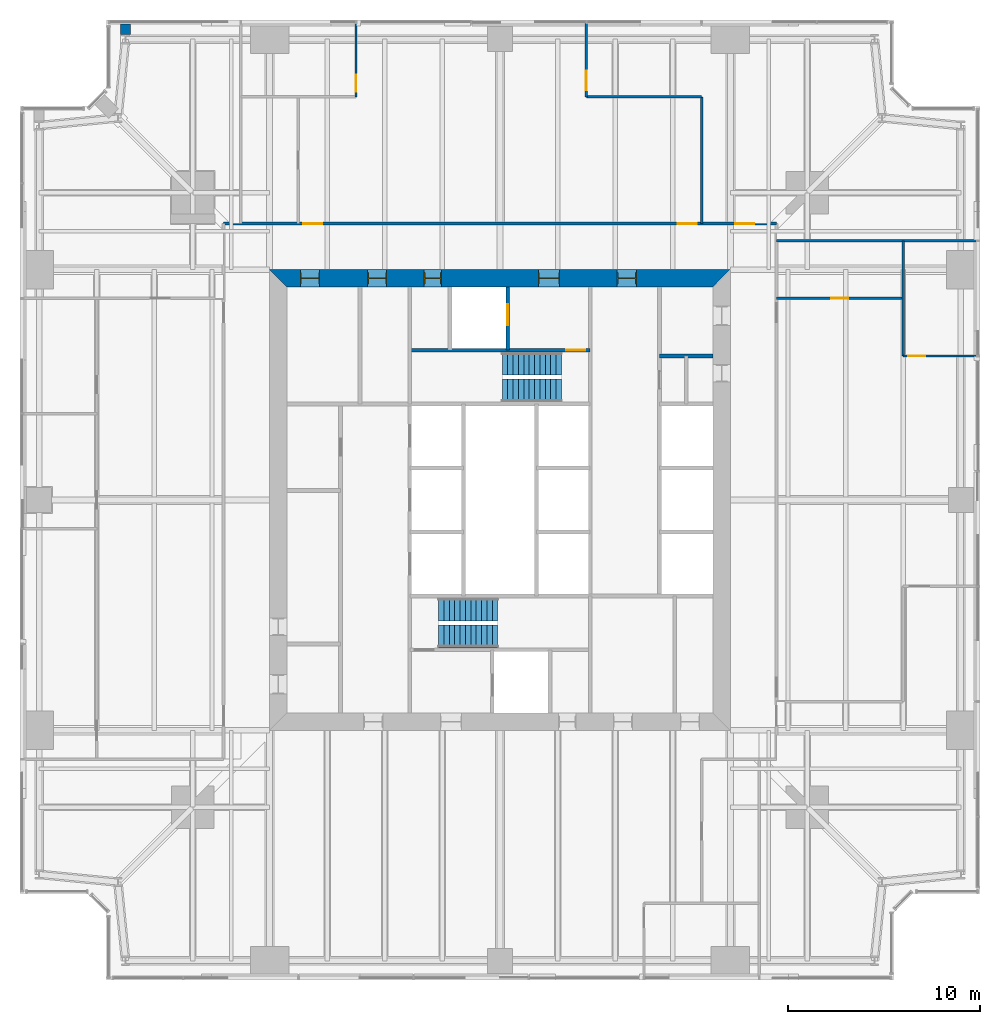
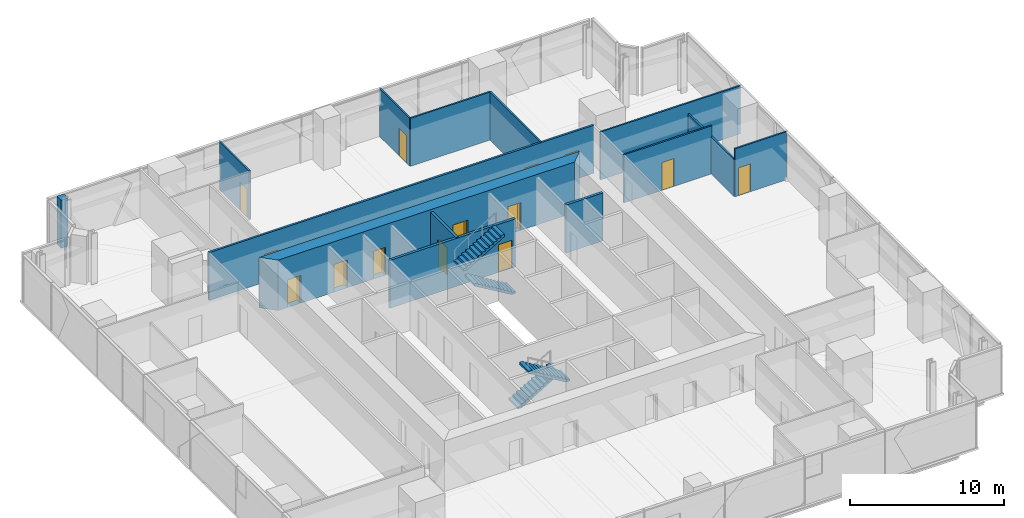
# One storey, part 11 of 13: 14 doors, 14 walls, 4 stair flights, 14 openings, 2 elements without a shape of their own.
"""IFC4 building model written with IfcOpenShell, lengths in metres."""

from ifc_helpers import new_model, si_unit, direction, frame, frame_2d, origin, place, context, subcontext, project, spatial, polyline, rectangle, outline, extrude, material, layer, layer_set, type_object, element, fill, aggregate, save


model = new_model("IFC4")

# Units and contexts
model_context = context("Model", 3, precision=1e-05, world=origin(), true_north=direction((0.0, 1.0)))
body_context = subcontext(model_context, "Body", "Model", "MODEL_VIEW")
ifc_project = project(units=[si_unit("LENGTHUNIT", "METRE"), si_unit("AREAUNIT", "SQUARE_METRE"), si_unit("VOLUMEUNIT", "CUBIC_METRE"), si_unit("PLANEANGLEUNIT", "RADIAN"), si_unit("MASSUNIT", "GRAM", prefix="KILO")], contexts=[model_context])

# Site, building, storey
site_placement = place(None, origin())
site = spatial("IfcSite", under=ifc_project, at=site_placement, CompositionType="ELEMENT")
building_placement = place(site_placement, origin())
building = spatial("IfcBuilding", under=site, at=building_placement, Name="Fenwick Lantern Interchange", CompositionType="ELEMENT")
storey_placement = place(building_placement, frame((0.0, 0.0, 158.39990234375)))
storey = spatial("IfcBuildingStorey", under=building, at=storey_placement, Name="L37", CompositionType="ELEMENT", Elevation=158.39990234375)

# Wall
ifc_material_1 = material(Name="Fire-rated gypsum board encasement on steel studs, 2 hour", Category="steel")
ifc_layer_1 = layer(ifc_material_1, 0.52392578125)
ifc_layer_set_1 = layer_set([ifc_layer_1], Name="COLUMN PIER 524")
wall_type_1 = type_object("IfcWallType", Name="COLUMN PIER 524", PredefinedType="PARTITIONING", material=ifc_layer_set_1)
wall_1_placement = place(storey_placement, frame((5.5, 49.800048828125, 0.0), z_axis=(0.0, 0.0, 1.0), x_axis=(0.0, -1.0, 0.0)))
element("IfcWall", 1, at=wall_1_placement, inside=storey, type_object=wall_type_1, Name="L37/W/PIER/CN5", PredefinedType="PARTITIONING", context=body_context, shape_type="SweptSolid", body=[
    extrude(rectangle(XDim=0.5625, YDim=0.52392578125, at=frame_2d((0.28125, 0.0))), origin(), (0.0, 0.0, 1.0), 3.800048828125),
])

# Wall, opening, door
ifc_material_2 = material(Name="Concrete masonry ASTM C90 Grade N", Category="masonry")
ifc_layer_2 = layer(ifc_material_2, 0.199951171875)
ifc_layer_set_2 = layer_set([ifc_layer_2], Name="Concrete masonry ASTM C90 Grade N")
wall_type_2 = type_object("IfcWallType", Name="CORE PARTITION 200", PredefinedType="PARTITIONING", material=ifc_layer_set_2)
wall_2_placement = place(storey_placement, frame((25.39990234375, 36.10009765625, 0.0), z_axis=(0.0, 0.0, 1.0), x_axis=(0.0, -1.0, 0.0)))
wall_2 = element("IfcWall", 2, at=wall_2_placement, inside=storey, type_object=wall_type_2, Name="L37/W/COREN/h1", PredefinedType="PARTITIONING", context=body_context, shape_type="SweptSolid", body=[
    extrude(rectangle(XDim=3.300048828125, YDim=0.199951171875, at=frame_2d((1.64990234375, 0.0))), origin(), (0.0, 0.0, 1.0), 3.800048828125),
])
opening_1_placement = place(wall_2_placement, frame((0.89990234375, 0.0, 0.0)))
opening_1 = element("IfcOpeningElement", 3, at=opening_1_placement, cuts=wall_2, Name="Opening LD-FL2", PredefinedType="OPENING", context=body_context, shape_type="SweptSolid", body=[
    extrude(rectangle(XDim=1.10009765625, YDim=2.199951171875, at=frame_2d((0.550048828125, 1.10009765625))), frame((0.0, 0.10986328125, 0.0), z_axis=(0.0, -1.0, 0.0), x_axis=(1.0, 0.0, 0.0)), (0.0, 0.0, 1.0), 0.219970703125),
])
ifc_material_3 = material(Name="Steel door and frame", Category="steel")
door_type_1 = type_object("IfcDoorType", Name="LIFT LANDING DOOR 1100 X 2200", OperationType="DOUBLE_DOOR_SLIDING", PredefinedType="DOOR", material=ifc_material_3)
door_1_placement = place(opening_1_placement, origin())
door_1 = element("IfcDoor", 4, at=door_1_placement, inside=storey, type_object=door_type_1, Name="Lift landing door FL2", OperationType="DOUBLE_DOOR_SLIDING", OverallHeight=2.199951171875, OverallWidth=1.10009765625, PredefinedType="DOOR", context=body_context, shape_type="SweptSolid", body=[
    extrude(rectangle(XDim=1.10009765625, YDim=2.199951171875, at=frame_2d((0.550048828125, 1.10009765625))), frame((0.0, 0.02490234375, 0.0), z_axis=(0.0, -1.0, 0.0), x_axis=(1.0, 0.0, 0.0)), (0.0, 0.0, 1.0), 0.050048828125),
])
fill(opening_1, door_1)

# Wall
wall_3_placement = place(storey_placement, frame((36.10009765625, 32.5, 0.0), z_axis=(0.0, 0.0, 1.0), x_axis=(-1.0, 0.0, 0.0)))
element("IfcWall", 5, at=wall_3_placement, inside=storey, type_object=wall_type_2, Name="L37/W/COREN/p1", PredefinedType="PARTITIONING", context=body_context, shape_type="SweptSolid", body=[
    extrude(rectangle(XDim=2.800048828125, YDim=0.199951171875, at=frame_2d((1.39990234375, 0.0))), origin(), (0.0, 0.0, 1.0), 3.800048828125),
])

# Wall, openings, doors
ifc_material_4 = material(Name="Concrete f'c 70 MPa", Category="concrete")
ifc_layer_3 = layer(ifc_material_4, 0.89990234375)
ifc_layer_set_3 = layer_set([ifc_layer_3], Name="CORE WALL 900")
wall_type_3 = type_object("IfcWallType", Name="CORE WALL 900", PredefinedType="SHEAR", material=ifc_layer_set_3)
wall_4_placement = place(storey_placement, frame((37.0, 36.550048828125, 0.0), z_axis=(0.0, 0.0, 1.0), x_axis=(-1.0, 0.0, 0.0)))
wall_4 = element("IfcWall", 6, at=wall_4_placement, inside=storey, type_object=wall_type_3, Name="L37/CORE/N", PredefinedType="SHEAR", context=body_context, shape_type="SweptSolid", body=[
    extrude(outline(polyline([(0.0, -0.449951171875), (24.0, -0.449951171875), (23.10009765625, 0.449951171875), (0.89990234375, 0.449951171875), (0.0, -0.449951171875)])), origin(), (0.0, 0.0, 1.0), 4.0),
])
opening_2_placement = place(wall_4_placement, frame((4.89990234375, 0.0, 0.0)))
opening_2 = element("IfcOpeningElement", 7, at=opening_2_placement, cuts=wall_4, Name="Opening L37-D010", PredefinedType="OPENING", context=body_context, shape_type="SweptSolid", body=[
    extrude(rectangle(XDim=1.0, YDim=2.199951171875, at=frame_2d((0.5, 1.10009765625))), frame((0.0, 0.4599609375, 0.0), z_axis=(0.0, -1.0, 0.0), x_axis=(1.0, 0.0, 0.0)), (0.0, 0.0, 1.0), 0.919921875),
])
opening_3_placement = place(wall_4_placement, frame((8.89990234375, 0.0, 0.0)))
opening_3 = element("IfcOpeningElement", 8, at=opening_3_placement, cuts=wall_4, Name="Opening L37-D011", PredefinedType="OPENING", context=body_context, shape_type="SweptSolid", body=[
    extrude(rectangle(XDim=1.10009765625, YDim=2.199951171875, at=frame_2d((0.550048828125, 1.10009765625))), frame((0.0, 0.4599609375, 0.0), z_axis=(0.0, -1.0, 0.0), x_axis=(1.0, 0.0, 0.0)), (0.0, 0.0, 1.0), 0.919921875),
])
opening_4_placement = place(wall_4_placement, frame((15.050048828125, 0.0, 0.0)))
opening_4 = element("IfcOpeningElement", 9, at=opening_4_placement, cuts=wall_4, Name="Opening L37-D013", PredefinedType="OPENING", context=body_context, shape_type="SweptSolid", body=[
    extrude(rectangle(XDim=0.89990234375, YDim=2.199951171875, at=frame_2d((0.449951171875, 1.10009765625))), frame((0.0, 0.4599609375, 0.0), z_axis=(0.0, -1.0, 0.0), x_axis=(1.0, 0.0, 0.0)), (0.0, 0.0, 1.0), 0.919921875),
])
opening_5_placement = place(wall_4_placement, frame((17.89990234375, 0.0, 0.0)))
opening_5 = element("IfcOpeningElement", 10, at=opening_5_placement, cuts=wall_4, Name="Opening L37-D014", PredefinedType="OPENING", context=body_context, shape_type="SweptSolid", body=[
    extrude(rectangle(XDim=1.0, YDim=2.199951171875, at=frame_2d((0.5, 1.10009765625))), frame((0.0, 0.4599609375, 0.0), z_axis=(0.0, -1.0, 0.0), x_axis=(1.0, 0.0, 0.0)), (0.0, 0.0, 1.0), 0.919921875),
])
opening_6_placement = place(wall_4_placement, frame((21.39990234375, 0.0, 0.0)))
opening_6 = element("IfcOpeningElement", 11, at=opening_6_placement, cuts=wall_4, Name="Opening L37-D015", PredefinedType="OPENING", context=body_context, shape_type="SweptSolid", body=[
    extrude(rectangle(XDim=1.0, YDim=2.199951171875, at=frame_2d((0.5, 1.10009765625))), frame((0.0, 0.4599609375, 0.0), z_axis=(0.0, -1.0, 0.0), x_axis=(1.0, 0.0, 0.0)), (0.0, 0.0, 1.0), 0.919921875),
])
door_type_2 = type_object("IfcDoorType", Name="CORE LOBBY DOOR 1000 X 2200", OperationType="SINGLE_SWING_LEFT", PredefinedType="DOOR", material=ifc_material_3)
door_2_placement = place(opening_2_placement, origin())
door_2 = element("IfcDoor", 12, at=door_2_placement, inside=storey, type_object=door_type_2, Name="Core lobby door", OperationType="SINGLE_SWING_LEFT", OverallHeight=2.199951171875, OverallWidth=1.0, PredefinedType="DOOR", context=body_context, shape_type="SweptSolid", body=[
    extrude(rectangle(XDim=1.0, YDim=2.199951171875, at=frame_2d((0.5, 1.10009765625))), frame((0.0, 0.02490234375, 0.0), z_axis=(0.0, -1.0, 0.0), x_axis=(1.0, 0.0, 0.0)), (0.0, 0.0, 1.0), 0.050048828125),
    extrude(outline(polyline([(0.0, 0.0), (0.0400390625, 0.0), (0.0400390625, 2.159912109375), (0.9599609375, 2.159912109375), (0.9599609375, 0.0), (1.0, 0.0), (1.0, 2.199951171875), (0.0, 2.199951171875), (0.0, 0.0)])), frame((0.0, 0.300048828125, 0.0), z_axis=(0.0, -1.0, 0.0), x_axis=(1.0, 0.0, 0.0)), (0.0, 0.0, 1.0), 0.60009765625),
])
fill(opening_2, door_2)
door_type_3 = type_object("IfcDoorType", Name="FIRE LOBBY DOOR 1100 X 2200", OperationType="SINGLE_SWING_LEFT", PredefinedType="DOOR", material=ifc_material_3)
door_3_placement = place(opening_3_placement, origin())
door_3 = element("IfcDoor", 13, at=door_3_placement, inside=storey, type_object=door_type_3, Name="Fire lobby door", OperationType="SINGLE_SWING_LEFT", OverallHeight=2.199951171875, OverallWidth=1.10009765625, PredefinedType="DOOR", context=body_context, shape_type="SweptSolid", body=[
    extrude(rectangle(XDim=1.10009765625, YDim=2.199951171875, at=frame_2d((0.550048828125, 1.10009765625))), frame((0.0, 0.02490234375, 0.0), z_axis=(0.0, -1.0, 0.0), x_axis=(1.0, 0.0, 0.0)), (0.0, 0.0, 1.0), 0.050048828125),
    extrude(outline(polyline([(0.0, 0.0), (0.0400390625, 0.0), (0.0400390625, 2.159912109375), (1.06005859375, 2.159912109375), (1.06005859375, 0.0), (1.10009765625, 0.0), (1.10009765625, 2.199951171875), (0.0, 2.199951171875), (0.0, 0.0)])), frame((0.0, 0.300048828125, 0.0), z_axis=(0.0, -1.0, 0.0), x_axis=(1.0, 0.0, 0.0)), (0.0, 0.0, 1.0), 0.60009765625),
])
fill(opening_3, door_3)
door_type_4 = type_object("IfcDoorType", Name="SERVICE DOOR 900 X 2200", OperationType="SINGLE_SWING_LEFT", PredefinedType="DOOR", material=ifc_material_3)
door_4_placement = place(opening_4_placement, origin())
door_4 = element("IfcDoor", 14, at=door_4_placement, inside=storey, type_object=door_type_4, Name="Service door", OperationType="SINGLE_SWING_LEFT", OverallHeight=2.199951171875, OverallWidth=0.89990234375, PredefinedType="DOOR", context=body_context, shape_type="SweptSolid", body=[
    extrude(rectangle(XDim=0.89990234375, YDim=2.199951171875, at=frame_2d((0.449951171875, 1.10009765625))), frame((0.0, 0.02490234375, 0.0), z_axis=(0.0, -1.0, 0.0), x_axis=(1.0, 0.0, 0.0)), (0.0, 0.0, 1.0), 0.050048828125),
    extrude(outline(polyline([(0.0, 0.0), (0.0400390625, 0.0), (0.0400390625, 2.159912109375), (0.85986328125, 2.159912109375), (0.85986328125, 0.0), (0.89990234375, 0.0), (0.89990234375, 2.199951171875), (0.0, 2.199951171875), (0.0, 0.0)])), frame((0.0, 0.300048828125, 0.0), z_axis=(0.0, -1.0, 0.0), x_axis=(1.0, 0.0, 0.0)), (0.0, 0.0, 1.0), 0.60009765625),
])
fill(opening_4, door_4)
ifc_material_5 = material(Name="Hardwood door and steel frame", Category="steel")
door_type_5 = type_object("IfcDoorType", Name="WC DOOR 1000 X 2200", OperationType="SINGLE_SWING_LEFT", PredefinedType="DOOR", material=ifc_material_5)
door_5_placement = place(opening_5_placement, origin())
door_5 = element("IfcDoor", 15, at=door_5_placement, inside=storey, type_object=door_type_5, Name="Wc door", OperationType="SINGLE_SWING_RIGHT", OverallHeight=2.199951171875, OverallWidth=1.0, PredefinedType="DOOR", context=body_context, shape_type="SweptSolid", body=[
    extrude(rectangle(XDim=1.0, YDim=2.199951171875, at=frame_2d((0.5, 1.10009765625))), frame((0.0, 0.02490234375, 0.0), z_axis=(0.0, -1.0, 0.0), x_axis=(1.0, 0.0, 0.0)), (0.0, 0.0, 1.0), 0.050048828125),
    extrude(outline(polyline([(0.0, 0.0), (0.0400390625, 0.0), (0.0400390625, 2.159912109375), (0.9599609375, 2.159912109375), (0.9599609375, 0.0), (1.0, 0.0), (1.0, 2.199951171875), (0.0, 2.199951171875), (0.0, 0.0)])), frame((0.0, 0.300048828125, 0.0), z_axis=(0.0, -1.0, 0.0), x_axis=(1.0, 0.0, 0.0)), (0.0, 0.0, 1.0), 0.60009765625),
])
fill(opening_5, door_5)
door_6_placement = place(opening_6_placement, origin())
door_6 = element("IfcDoor", 16, at=door_6_placement, inside=storey, type_object=door_type_5, Name="Wc door", OperationType="SINGLE_SWING_RIGHT", OverallHeight=2.199951171875, OverallWidth=1.0, PredefinedType="DOOR", context=body_context, shape_type="SweptSolid", body=[
    extrude(rectangle(XDim=1.0, YDim=2.199951171875, at=frame_2d((0.5, 1.10009765625))), frame((0.0, 0.02490234375, 0.0), z_axis=(0.0, -1.0, 0.0), x_axis=(1.0, 0.0, 0.0)), (0.0, 0.0, 1.0), 0.050048828125),
    extrude(outline(polyline([(0.0, 0.0), (0.0400390625, 0.0), (0.0400390625, 2.159912109375), (0.9599609375, 2.159912109375), (0.9599609375, 0.0), (1.0, 0.0), (1.0, 2.199951171875), (0.0, 2.199951171875), (0.0, 0.0)])), frame((0.0, 0.300048828125, 0.0), z_axis=(0.0, -1.0, 0.0), x_axis=(1.0, 0.0, 0.0)), (0.0, 0.0, 1.0), 0.60009765625),
])
fill(opening_6, door_6)

ifc_material_6 = material(Name="Gypsum board on steel studs, 1 hour", Category="steel")
ifc_layer_4 = layer(ifc_material_6, 0.14990234375)
ifc_layer_set_4 = layer_set([ifc_layer_4], Name="CORRIDOR WALL 150")
wall_type_4 = type_object("IfcWallType", Name="CORRIDOR WALL 150", PredefinedType="PARTITIONING", material=ifc_layer_set_4)
wall_5_placement = place(storey_placement, frame((39.39990234375, 39.39990234375, 0.0), z_axis=(0.0, 0.0, 1.0), x_axis=(-1.0, 0.0, 0.0)))
wall_5 = element("IfcWall", 17, at=wall_5_placement, inside=storey, type_object=wall_type_4, Name="L37/W/OFF/N/CW2", PredefinedType="PARTITIONING", context=body_context, shape_type="SweptSolid", body=[
    extrude(rectangle(XDim=28.7998046875, YDim=0.14990234375, at=frame_2d((14.39990234375, 0.0))), origin(), (0.0, 0.0, 1.0), 3.800048828125),
])
opening_7_placement = place(wall_5_placement, frame((4.14990234375, 0.0, 0.0)))
opening_7 = element("IfcOpeningElement", 18, at=opening_7_placement, cuts=wall_5, Name="Opening L37-D027", PredefinedType="OPENING", context=body_context, shape_type="SweptSolid", body=[
    extrude(rectangle(XDim=1.0, YDim=2.199951171875, at=frame_2d((0.5, 1.10009765625))), frame((0.0, 0.0849609375, 0.0), z_axis=(0.0, -1.0, 0.0), x_axis=(1.0, 0.0, 0.0)), (0.0, 0.0, 1.0), 0.169921875),
])
opening_8_placement = place(wall_5_placement, frame((23.64990234375, 0.0, 0.0)))
opening_8 = element("IfcOpeningElement", 19, at=opening_8_placement, cuts=wall_5, Name="Opening L37-D028", PredefinedType="OPENING", context=body_context, shape_type="SweptSolid", body=[
    extrude(rectangle(XDim=1.0, YDim=2.199951171875, at=frame_2d((0.5, 1.10009765625))), frame((0.0, 0.0849609375, 0.0), z_axis=(0.0, -1.0, 0.0), x_axis=(1.0, 0.0, 0.0)), (0.0, 0.0, 1.0), 0.169921875),
])
opening_9_placement = place(wall_5_placement, frame((1.14990234375, 0.0, 0.0)))
opening_9 = element("IfcOpeningElement", 20, at=opening_9_placement, cuts=wall_5, Name="Opening L37-D030", PredefinedType="OPENING", context=body_context, shape_type="SweptSolid", body=[
    extrude(rectangle(XDim=1.0, YDim=2.199951171875, at=frame_2d((0.5, 1.10009765625))), frame((0.0, 0.0849609375, 0.0), z_axis=(0.0, -1.0, 0.0), x_axis=(1.0, 0.0, 0.0)), (0.0, 0.0, 1.0), 0.169921875),
])
door_type_6 = type_object("IfcDoorType", Name="MEETING ROOM DOOR 1000 X 2200", OperationType="SINGLE_SWING_LEFT", PredefinedType="DOOR", material=ifc_material_5)
door_7_placement = place(opening_9_placement, origin())
door_7 = element("IfcDoor", 21, at=door_7_placement, inside=storey, type_object=door_type_6, Name="Meeting room door", OperationType="SINGLE_SWING_LEFT", OverallHeight=2.199951171875, OverallWidth=1.0, PredefinedType="DOOR", context=body_context, shape_type="SweptSolid", body=[
    extrude(rectangle(XDim=1.0, YDim=2.199951171875, at=frame_2d((0.5, 1.10009765625))), frame((0.0, 0.02490234375, 0.0), z_axis=(0.0, -1.0, 0.0), x_axis=(1.0, 0.0, 0.0)), (0.0, 0.0, 1.0), 0.050048828125),
])
fill(opening_9, door_7)
door_type_7 = type_object("IfcDoorType", Name="SUITE ENTRANCE DOOR 1000 X 2200", OperationType="SINGLE_SWING_LEFT", PredefinedType="DOOR", material=ifc_material_3)
door_8_placement = place(opening_7_placement, frame((1.0, 0.0, 0.0), z_axis=(0.0, 0.0, 1.0), x_axis=(-1.0, 0.0, 0.0)))
door_8 = element("IfcDoor", 22, at=door_8_placement, inside=storey, type_object=door_type_7, Name="Suite entrance door", OperationType="SINGLE_SWING_RIGHT", OverallHeight=2.199951171875, OverallWidth=1.0, PredefinedType="DOOR", context=body_context, shape_type="SweptSolid", body=[
    extrude(rectangle(XDim=1.0, YDim=2.199951171875, at=frame_2d((0.5, 1.10009765625))), frame((0.0, 0.02490234375, 0.0), z_axis=(0.0, -1.0, 0.0), x_axis=(1.0, 0.0, 0.0)), (0.0, 0.0, 1.0), 0.050048828125),
])
fill(opening_7, door_8)
door_9_placement = place(opening_8_placement, frame((1.0, 0.0, 0.0), z_axis=(0.0, 0.0, 1.0), x_axis=(-1.0, 0.0, 0.0)))
door_9 = element("IfcDoor", 23, at=door_9_placement, inside=storey, type_object=door_type_7, Name="Suite entrance door", OperationType="SINGLE_SWING_LEFT", OverallHeight=2.199951171875, OverallWidth=1.0, PredefinedType="DOOR", context=body_context, shape_type="SweptSolid", body=[
    extrude(rectangle(XDim=1.0, YDim=2.199951171875, at=frame_2d((0.5, 1.10009765625))), frame((0.0, 0.02490234375, 0.0), z_axis=(0.0, -1.0, 0.0), x_axis=(1.0, 0.0, 0.0)), (0.0, 0.0, 1.0), 0.050048828125),
])
fill(opening_8, door_9)

# Wall, opening, door
ifc_material_7 = material(Name="Gypsum board on steel studs, acoustic", Category="steel")
ifc_layer_5 = layer(ifc_material_7, 0.125)
ifc_layer_set_5 = layer_set([ifc_layer_5], Name="OFFICE PARTITION 125")
wall_type_5 = type_object("IfcWallType", Name="OFFICE PARTITION 125", PredefinedType="PARTITIONING", material=ifc_layer_set_5)
wall_6_placement = place(storey_placement, frame((49.85009765625, 32.5, 0.0), z_axis=(0.0, 0.0, 1.0), x_axis=(-1.0, 0.0, 0.0)))
wall_6 = element("IfcWall", 24, at=wall_6_placement, inside=storey, type_object=wall_type_5, Name="L37/W/OFF/E/X325-1", PredefinedType="PARTITIONING", context=body_context, shape_type="SweptSolid", body=[
    extrude(rectangle(XDim=3.85009765625, YDim=0.125, at=frame_2d((1.925048828125, 0.0))), origin(), (0.0, 0.0, 1.0), 3.800048828125),
])
opening_10_placement = place(wall_6_placement, frame((2.699951171875, 0.0, 0.0)))
opening_10 = element("IfcOpeningElement", 25, at=opening_10_placement, cuts=wall_6, Name="Opening L37-D025", PredefinedType="OPENING", context=body_context, shape_type="SweptSolid", body=[
    extrude(rectangle(XDim=0.89990234375, YDim=2.199951171875, at=frame_2d((0.449951171875, 1.10009765625))), frame((0.0, 0.072509765625, 0.0), z_axis=(0.0, -1.0, 0.0), x_axis=(1.0, 0.0, 0.0)), (0.0, 0.0, 1.0), 0.14501953125),
])
door_type_8 = type_object("IfcDoorType", Name="OFFICE DOOR 900 X 2200", OperationType="SINGLE_SWING_LEFT", PredefinedType="DOOR", material=ifc_material_5)
door_10_placement = place(opening_10_placement, frame((0.89990234375, 0.0, 0.0), z_axis=(0.0, 0.0, 1.0), x_axis=(-1.0, 0.0, 0.0)))
door_10 = element("IfcDoor", 26, at=door_10_placement, inside=storey, type_object=door_type_8, Name="Office door", OperationType="SINGLE_SWING_LEFT", OverallHeight=2.199951171875, OverallWidth=0.89990234375, PredefinedType="DOOR", context=body_context, shape_type="SweptSolid", body=[
    extrude(rectangle(XDim=0.89990234375, YDim=2.199951171875, at=frame_2d((0.449951171875, 1.10009765625))), frame((0.0, 0.02490234375, 0.0), z_axis=(0.0, -1.0, 0.0), x_axis=(1.0, 0.0, 0.0)), (0.0, 0.0, 1.0), 0.050048828125),
])
fill(opening_10, door_10)

wall_7_placement = place(storey_placement, frame((46.0, 35.5, 0.0), z_axis=(0.0, 0.0, 1.0), x_axis=(-1.0, 0.0, 0.0)))
wall_7 = element("IfcWall", 27, at=wall_7_placement, inside=storey, type_object=wall_type_5, Name="L37/W/OFF/E/X355-1", PredefinedType="PARTITIONING", context=body_context, shape_type="SweptSolid", body=[
    extrude(rectangle(XDim=6.60009765625, YDim=0.125, at=frame_2d((3.300048828125, 0.0))), origin(), (0.0, 0.0, 1.0), 3.800048828125),
])
opening_11_placement = place(wall_7_placement, frame((2.85009765625, 0.0, 0.0)))
opening_11 = element("IfcOpeningElement", 28, at=opening_11_placement, cuts=wall_7, Name="Opening L37-D026", PredefinedType="OPENING", context=body_context, shape_type="SweptSolid", body=[
    extrude(rectangle(XDim=0.89990234375, YDim=2.199951171875, at=frame_2d((0.449951171875, 1.10009765625))), frame((0.0, 0.072509765625, 0.0), z_axis=(0.0, -1.0, 0.0), x_axis=(1.0, 0.0, 0.0)), (0.0, 0.0, 1.0), 0.14501953125),
])
door_11_placement = place(opening_11_placement, frame((0.89990234375, 0.0, 0.0), z_axis=(0.0, 0.0, 1.0), x_axis=(-1.0, 0.0, 0.0)))
door_11 = element("IfcDoor", 29, at=door_11_placement, inside=storey, type_object=door_type_8, Name="Office door", OperationType="SINGLE_SWING_RIGHT", OverallHeight=2.199951171875, OverallWidth=0.89990234375, PredefinedType="DOOR", context=body_context, shape_type="SweptSolid", body=[
    extrude(rectangle(XDim=0.89990234375, YDim=2.199951171875, at=frame_2d((0.449951171875, 1.10009765625))), frame((0.0, 0.02490234375, 0.0), z_axis=(0.0, -1.0, 0.0), x_axis=(1.0, 0.0, 0.0)), (0.0, 0.0, 1.0), 0.050048828125),
])
fill(opening_11, door_11)

# Walls
wall_8_placement = place(storey_placement, frame((46.0, 32.5, 0.0), z_axis=(0.0, 0.0, 1.0), x_axis=(0.0, 1.0, 0.0)))
element("IfcWall", 30, at=wall_8_placement, inside=storey, type_object=wall_type_5, Name="L37/W/OFF/E/Y40-2", PredefinedType="PARTITIONING", context=body_context, shape_type="SweptSolid", body=[
    extrude(rectangle(XDim=6.0, YDim=0.125, at=frame_2d((3.0, 0.0))), origin(), (0.0, 0.0, 1.0), 2.954345703125),
])
wall_9_placement = place(storey_placement, frame((49.85009765625, 38.5, 0.0), z_axis=(0.0, 0.0, 1.0), x_axis=(-1.0, 0.0, 0.0)))
element("IfcWall", 31, at=wall_9_placement, inside=storey, type_object=wall_type_5, Name="L37/W/OFF/N/BACK", PredefinedType="PARTITIONING", context=body_context, shape_type="SweptSolid", body=[
    extrude(rectangle(XDim=10.4501953125, YDim=0.125, at=frame_2d((5.22509765625, 0.0))), origin(), (0.0, 0.0, 1.0), 3.800048828125),
])
wall_10_placement = place(storey_placement, frame((35.5, 46.0, 0.0), z_axis=(0.0, 0.0, 1.0), x_axis=(0.0, -1.0, 0.0)))
element("IfcWall", 32, at=wall_10_placement, inside=storey, type_object=wall_type_5, Name="L37/W/OFF/N/X145-1", PredefinedType="PARTITIONING", context=body_context, shape_type="SweptSolid", body=[
    extrude(rectangle(XDim=6.60009765625, YDim=0.125, at=frame_2d((3.300048828125, 0.0))), origin(), (0.0, 0.0, 1.0), 3.800048828125),
])

# Wall, opening, door
wall_11_placement = place(storey_placement, frame((29.5, 49.85009765625, 0.0), z_axis=(0.0, 0.0, 1.0), x_axis=(0.0, -1.0, 0.0)))
wall_11 = element("IfcWall", 33, at=wall_11_placement, inside=storey, type_object=wall_type_5, Name="L37/W/OFF/N/X205-1", PredefinedType="PARTITIONING", context=body_context, shape_type="SweptSolid", body=[
    extrude(rectangle(XDim=3.85009765625, YDim=0.125, at=frame_2d((1.925048828125, 0.0))), origin(), (0.0, 0.0, 1.0), 3.800048828125),
])
opening_12_placement = place(wall_11_placement, frame((2.5, 0.0, 0.0)))
opening_12 = element("IfcOpeningElement", 34, at=opening_12_placement, cuts=wall_11, Name="Opening L37-D029", PredefinedType="OPENING", context=body_context, shape_type="SweptSolid", body=[
    extrude(rectangle(XDim=1.0, YDim=2.199951171875, at=frame_2d((0.5, 1.10009765625))), frame((0.0, 0.072509765625, 0.0), z_axis=(0.0, -1.0, 0.0), x_axis=(1.0, 0.0, 0.0)), (0.0, 0.0, 1.0), 0.14501953125),
])
door_12_placement = place(opening_12_placement, frame((1.0, 0.0, 0.0), z_axis=(0.0, 0.0, 1.0), x_axis=(-1.0, 0.0, 0.0)))
door_12 = element("IfcDoor", 35, at=door_12_placement, inside=storey, type_object=door_type_6, Name="Meeting room door", OperationType="SINGLE_SWING_RIGHT", OverallHeight=2.199951171875, OverallWidth=1.0, PredefinedType="DOOR", context=body_context, shape_type="SweptSolid", body=[
    extrude(rectangle(XDim=1.0, YDim=2.199951171875, at=frame_2d((0.5, 1.10009765625))), frame((0.0, 0.02490234375, 0.0), z_axis=(0.0, -1.0, 0.0), x_axis=(1.0, 0.0, 0.0)), (0.0, 0.0, 1.0), 0.050048828125),
])
fill(opening_12, door_12)

wall_12_placement = place(storey_placement, frame((17.5, 49.85009765625, 0.0), z_axis=(0.0, 0.0, 1.0), x_axis=(0.0, -1.0, 0.0)))
wall_12 = element("IfcWall", 36, at=wall_12_placement, inside=storey, type_object=wall_type_5, Name="L37/W/OFF/N/X325-1", PredefinedType="PARTITIONING", context=body_context, shape_type="SweptSolid", body=[
    extrude(rectangle(XDim=3.85009765625, YDim=0.125, at=frame_2d((1.925048828125, 0.0))), origin(), (0.0, 0.0, 1.0), 3.800048828125),
])
opening_13_placement = place(wall_12_placement, frame((2.699951171875, 0.0, 0.0)))
opening_13 = element("IfcOpeningElement", 37, at=opening_13_placement, cuts=wall_12, Name="Opening L37-D031", PredefinedType="OPENING", context=body_context, shape_type="SweptSolid", body=[
    extrude(rectangle(XDim=0.89990234375, YDim=2.199951171875, at=frame_2d((0.449951171875, 1.10009765625))), frame((0.0, 0.072509765625, 0.0), z_axis=(0.0, -1.0, 0.0), x_axis=(1.0, 0.0, 0.0)), (0.0, 0.0, 1.0), 0.14501953125),
])
door_13_placement = place(opening_13_placement, frame((0.89990234375, 0.0, 0.0), z_axis=(0.0, 0.0, 1.0), x_axis=(-1.0, 0.0, 0.0)))
door_13 = element("IfcDoor", 38, at=door_13_placement, inside=storey, type_object=door_type_8, Name="Office door", OperationType="SINGLE_SWING_LEFT", OverallHeight=2.199951171875, OverallWidth=0.89990234375, PredefinedType="DOOR", context=body_context, shape_type="SweptSolid", body=[
    extrude(rectangle(XDim=0.89990234375, YDim=2.199951171875, at=frame_2d((0.449951171875, 1.10009765625))), frame((0.0, 0.02490234375, 0.0), z_axis=(0.0, -1.0, 0.0), x_axis=(1.0, 0.0, 0.0)), (0.0, 0.0, 1.0), 0.050048828125),
])
fill(opening_13, door_13)

# Wall
wall_13_placement = place(storey_placement, frame((35.5, 46.0, 0.0), z_axis=(0.0, 0.0, 1.0), x_axis=(-1.0, 0.0, 0.0)))
element("IfcWall", 39, at=wall_13_placement, inside=storey, type_object=wall_type_5, Name="L37/W/OFF/N/Y40-1", PredefinedType="PARTITIONING", context=body_context, shape_type="SweptSolid", body=[
    extrude(rectangle(XDim=6.0, YDim=0.125, at=frame_2d((3.0, 0.0))), origin(), (0.0, 0.0, 1.0), 3.800048828125),
])

# Wall, opening, door
ifc_material_8 = material(Name="Concrete f'c 45 MPa", Category="concrete")
ifc_layer_6 = layer(ifc_material_8, 0.199951171875)
ifc_layer_set_6 = layer_set([ifc_layer_6], Name="STAIR CORE WALL 200")
wall_type_6 = type_object("IfcWallType", Name="STAIR CORE WALL 200", PredefinedType="SOLIDWALL", material=ifc_layer_set_6)
wall_14_placement = place(storey_placement, frame((29.699951171875, 32.800048828125, 0.0), z_axis=(0.0, 0.0, 1.0), x_axis=(-1.0, 0.0, 0.0)))
wall_14 = element("IfcWall", 40, at=wall_14_placement, inside=storey, type_object=wall_type_6, Name="L37/W/COREN/g1", PredefinedType="SOLIDWALL", context=body_context, shape_type="SweptSolid", body=[
    extrude(rectangle(XDim=9.39990234375, YDim=0.199951171875, at=frame_2d((4.699951171875, 0.0))), origin(), (0.0, 0.0, 1.0), 3.800048828125),
])
opening_14_placement = place(wall_14_placement, frame((0.25, 0.0, 0.0)))
opening_14 = element("IfcOpeningElement", 41, at=opening_14_placement, cuts=wall_14, Name="Opening L37-D012", PredefinedType="OPENING", context=body_context, shape_type="SweptSolid", body=[
    extrude(rectangle(XDim=1.0, YDim=2.199951171875, at=frame_2d((0.5, 1.10009765625))), frame((0.0, 0.10986328125, 0.0), z_axis=(0.0, -1.0, 0.0), x_axis=(1.0, 0.0, 0.0)), (0.0, 0.0, 1.0), 0.219970703125),
])
door_type_9 = type_object("IfcDoorType", Name="STAIR DOOR 1000 X 2200", OperationType="SINGLE_SWING_LEFT", PredefinedType="DOOR", material=ifc_material_3)
door_14_placement = place(opening_14_placement, origin())
door_14 = element("IfcDoor", 42, at=door_14_placement, inside=storey, type_object=door_type_9, Name="Stair door", OperationType="SINGLE_SWING_LEFT", OverallHeight=2.199951171875, OverallWidth=1.0, PredefinedType="DOOR", context=body_context, shape_type="SweptSolid", body=[
    extrude(rectangle(XDim=1.0, YDim=2.199951171875, at=frame_2d((0.5, 1.10009765625))), frame((0.0, 0.02490234375, 0.0), z_axis=(0.0, -1.0, 0.0), x_axis=(1.0, 0.0, 0.0)), (0.0, 0.0, 1.0), 0.050048828125),
])
fill(opening_14, door_14)

# Stair, stair flights
ifc_material_9 = material(Name="Precast concrete f'c 35 MPa", Category="concrete")
stair_type = type_object("IfcStairType", Name="EXIT STAIR 1200", PredefinedType="HALF_TURN_STAIR", material=ifc_material_9)
stair_1_placement = place(storey_placement, origin())
stair_1 = element("IfcStair", 43, at=stair_1_placement, inside=storey, type_object=stair_type, Name="Exit stair ST1", PredefinedType="HALF_TURN_STAIR")
stair_flight_type = type_object("IfcStairFlightType", Name="STAIR FLIGHT 1200", PredefinedType="STRAIGHT", material=ifc_material_9)
stair_flight_1_placement = place(storey_placement, frame((21.800048828125, 19.300048828125, 0.0), z_axis=(0.0, 0.0, 1.0), x_axis=(1.0, 0.0, 0.0)))
stair_flight_1 = element("IfcStairFlight", 44, at=stair_flight_1_placement, type_object=stair_flight_type, Name="ST1 flight 1", NumberOfRisers=12, NumberOfTreads=11, PredefinedType="STRAIGHT", RiserHeight=0.166666667, TreadLength=0.28, context=body_context, shape_type="SweptSolid", body=[
    extrude(outline(polyline([(0.0, 0.0), (0.0, 0.166748046875), (0.280029296875, 0.166748046875), (0.280029296875, 0.333251953125), (0.56005859375, 0.333251953125), (0.56005859375, 0.5), (0.840087890625, 0.5), (0.840087890625, 0.666748046875), (1.1201171875, 0.666748046875), (1.1201171875, 0.833251953125), (1.39990234375, 0.833251953125), (1.39990234375, 1.0), (1.679931640625, 1.0), (1.679931640625, 1.166748046875), (1.9599609375, 1.166748046875), (1.9599609375, 1.333251953125), (2.239990234375, 1.333251953125), (2.239990234375, 1.5), (2.52001953125, 1.5), (2.52001953125, 1.666748046875), (2.800048828125, 1.666748046875), (2.800048828125, 1.833251953125), (3.080078125, 1.833251953125), (3.080078125, 2.0), (3.080078125, 1.658935546875), (0.29296875, 0.0), (0.0, 0.0)])), frame((0.0, 0.60009765625, 0.0), z_axis=(0.0, -1.0, 0.0), x_axis=(1.0, 0.0, 0.0)), (0.0, 0.0, 1.0), 1.199951171875),
])
stair_flight_2_placement = place(storey_placement, frame((24.8798828125, 17.89990234375, 2.0), z_axis=(0.0, 0.0, 1.0), x_axis=(-1.0, 0.0, 0.0)))
stair_flight_2 = element("IfcStairFlight", 45, at=stair_flight_2_placement, type_object=stair_flight_type, Name="ST1 flight 2", NumberOfRisers=12, NumberOfTreads=11, PredefinedType="STRAIGHT", RiserHeight=0.166666667, TreadLength=0.28, context=body_context, shape_type="SweptSolid", body=[
    extrude(outline(polyline([(0.0, 0.0), (0.0, 0.166748046875), (0.280029296875, 0.166748046875), (0.280029296875, 0.333251953125), (0.56005859375, 0.333251953125), (0.56005859375, 0.5), (0.840087890625, 0.5), (0.840087890625, 0.666748046875), (1.1201171875, 0.666748046875), (1.1201171875, 0.833251953125), (1.39990234375, 0.833251953125), (1.39990234375, 1.0), (1.679931640625, 1.0), (1.679931640625, 1.166748046875), (1.9599609375, 1.166748046875), (1.9599609375, 1.333251953125), (2.239990234375, 1.333251953125), (2.239990234375, 1.5), (2.52001953125, 1.5), (2.52001953125, 1.666748046875), (2.800048828125, 1.666748046875), (2.800048828125, 1.833251953125), (3.080078125, 1.833251953125), (3.080078125, 2.0), (3.080078125, 1.658935546875), (0.29296875, 0.0), (0.0, 0.0)])), frame((0.0, 0.60009765625, 0.0), z_axis=(0.0, -1.0, 0.0), x_axis=(1.0, 0.0, 0.0)), (0.0, 0.0, 1.0), 1.199951171875),
])
aggregate(stair_1, [stair_flight_1, stair_flight_2])

stair_2_placement = place(storey_placement, origin())
stair_2 = element("IfcStair", 46, at=stair_2_placement, inside=storey, type_object=stair_type, Name="Exit stair ST2", PredefinedType="HALF_TURN_STAIR")
stair_flight_3_placement = place(storey_placement, frame((28.199951171875, 30.699951171875, 0.0), z_axis=(0.0, 0.0, 1.0), x_axis=(-1.0, 0.0, 0.0)))
stair_flight_3 = element("IfcStairFlight", 47, at=stair_flight_3_placement, type_object=stair_flight_type, Name="ST2 flight 1", NumberOfRisers=12, NumberOfTreads=11, PredefinedType="STRAIGHT", RiserHeight=0.166666667, TreadLength=0.28, context=body_context, shape_type="SweptSolid", body=[
    extrude(outline(polyline([(0.0, 0.0), (0.0, 0.166748046875), (0.280029296875, 0.166748046875), (0.280029296875, 0.333251953125), (0.56005859375, 0.333251953125), (0.56005859375, 0.5), (0.840087890625, 0.5), (0.840087890625, 0.666748046875), (1.1201171875, 0.666748046875), (1.1201171875, 0.833251953125), (1.39990234375, 0.833251953125), (1.39990234375, 1.0), (1.679931640625, 1.0), (1.679931640625, 1.166748046875), (1.9599609375, 1.166748046875), (1.9599609375, 1.333251953125), (2.239990234375, 1.333251953125), (2.239990234375, 1.5), (2.52001953125, 1.5), (2.52001953125, 1.666748046875), (2.800048828125, 1.666748046875), (2.800048828125, 1.833251953125), (3.080078125, 1.833251953125), (3.080078125, 2.0), (3.080078125, 1.658935546875), (0.29296875, 0.0), (0.0, 0.0)])), frame((0.0, 0.60009765625, 0.0), z_axis=(0.0, -1.0, 0.0), x_axis=(1.0, 0.0, 0.0)), (0.0, 0.0, 1.0), 1.199951171875),
])
stair_flight_4_placement = place(storey_placement, frame((25.1201171875, 32.10009765625, 2.0), z_axis=(0.0, 0.0, 1.0), x_axis=(1.0, 0.0, 0.0)))
stair_flight_4 = element("IfcStairFlight", 48, at=stair_flight_4_placement, type_object=stair_flight_type, Name="ST2 flight 2", NumberOfRisers=12, NumberOfTreads=11, PredefinedType="STRAIGHT", RiserHeight=0.166666667, TreadLength=0.28, context=body_context, shape_type="SweptSolid", body=[
    extrude(outline(polyline([(0.0, 0.0), (0.0, 0.166748046875), (0.280029296875, 0.166748046875), (0.280029296875, 0.333251953125), (0.56005859375, 0.333251953125), (0.56005859375, 0.5), (0.840087890625, 0.5), (0.840087890625, 0.666748046875), (1.1201171875, 0.666748046875), (1.1201171875, 0.833251953125), (1.39990234375, 0.833251953125), (1.39990234375, 1.0), (1.679931640625, 1.0), (1.679931640625, 1.166748046875), (1.9599609375, 1.166748046875), (1.9599609375, 1.333251953125), (2.239990234375, 1.333251953125), (2.239990234375, 1.5), (2.52001953125, 1.5), (2.52001953125, 1.666748046875), (2.800048828125, 1.666748046875), (2.800048828125, 1.833251953125), (3.080078125, 1.833251953125), (3.080078125, 2.0), (3.080078125, 1.658935546875), (0.29296875, 0.0), (0.0, 0.0)])), frame((0.0, 0.60009765625, 0.0), z_axis=(0.0, -1.0, 0.0), x_axis=(1.0, 0.0, 0.0)), (0.0, 0.0, 1.0), 1.199951171875),
])
aggregate(stair_2, [stair_flight_3, stair_flight_4])

save(model, "model.ifc")
